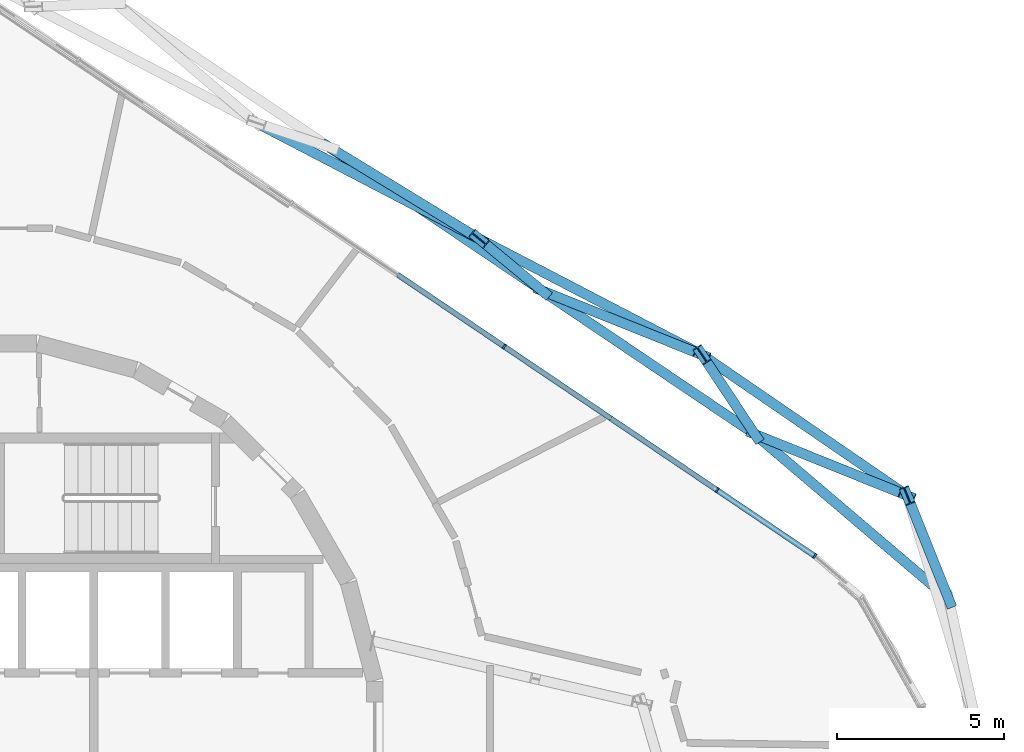
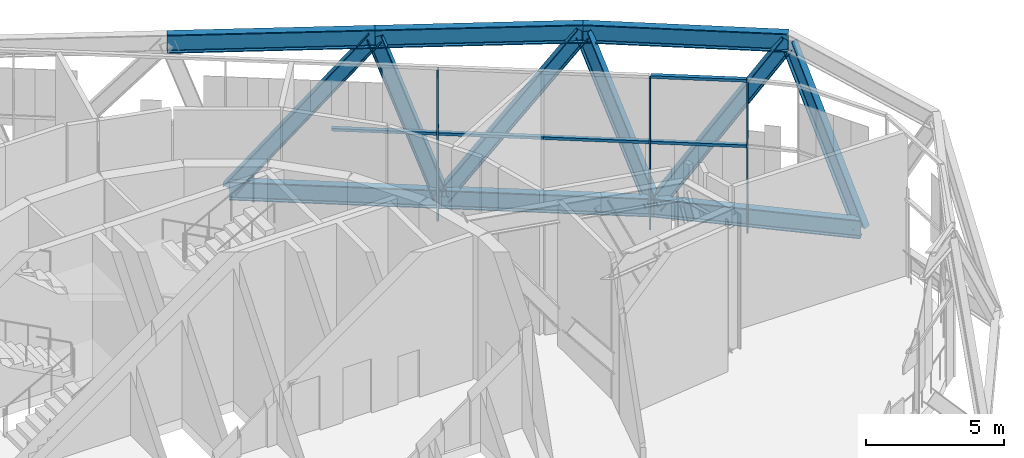
# One storey, part 8 of 24: 20 members, 2 elements without a shape of their own.
"""IFC4 building model written with IfcOpenShell, lengths in metres."""

from ifc_helpers import new_model, si_unit, direction, frame, origin, origin_2d, place, context, subcontext, project, spatial, rectangle, i_section, extrude, material, layer, layer_set, material_profile, profile_set, type_object, element, aggregate, save


model = new_model("IFC4")

# Units and contexts
model_context = context("Model", 3, precision=1e-05, world=origin(), true_north=direction((0.0, 1.0)))
body_context = subcontext(model_context, "Body", "Model", "MODEL_VIEW")
ifc_project = project(units=[si_unit("LENGTHUNIT", "METRE"), si_unit("AREAUNIT", "SQUARE_METRE"), si_unit("VOLUMEUNIT", "CUBIC_METRE"), si_unit("PLANEANGLEUNIT", "RADIAN"), si_unit("MASSUNIT", "GRAM", prefix="KILO")], contexts=[model_context])

# Site, building, storey
site_placement = place(None, origin())
site = spatial("IfcSite", under=ifc_project, at=site_placement, CompositionType="ELEMENT")
building_placement = place(site_placement, origin())
building = spatial("IfcBuilding", under=site, at=building_placement, Name="Spindle Arch Residences", CompositionType="ELEMENT")
storey_placement = place(building_placement, frame((0.0, 0.0, 219.89990234375)))
storey = spatial("IfcBuildingStorey", under=building, at=storey_placement, Name="L56", CompositionType="ELEMENT", Elevation=219.89990234375)

# Members
ifc_material_1 = material(Name="Steel S460ML, intumescent coating R 240", Category="steel")
ifc_material_profile_1 = material_profile(ifc_material_1, i_section(OverallWidth=0.302978515625, OverallDepth=0.81396484375, WebThickness=0.02099609375, FlangeThickness=0.0400390625, FilletRadius=0.030029296875, at=origin_2d()), Name="HEM 800")
ifc_profile_set_1 = profile_set([ifc_material_profile_1], Name="Steel S460ML, intumescent coating R 240")
member_type_1 = type_object("IfcMemberType", Name="Belt truss chord HEM 800", PredefinedType="CHORD", material=ifc_profile_set_1)
member_1_placement = place(storey_placement, frame((28.84228515625, 3.9873046875, -0.85693359375), z_axis=(-0.761793911054, 0.647819447903, 0.0), x_axis=(-0.647819447903, -0.761793911054, 0.0)))
element("IfcMember", 1, at=member_1_placement, inside=storey, type_object=member_type_1, Name="Belt truss bottom chord L56.5", PredefinedType="CHORD", context=body_context, shape_type="SweptSolid", body=[
    extrude(i_section(OverallWidth=0.302978515625, OverallDepth=0.81396484375, WebThickness=0.02099609375, FlangeThickness=0.0400390625, FilletRadius=0.030029296875, at=origin_2d()), origin(), (0.0, 0.0, 1.0), 7.62353515625),
])
for number, where, z_axis, x_axis, name in (
    (2, (23.03466796875, 8.926025390625, -0.85693359375), (-0.829040654635, 0.559188334072, 0.0), (-0.559188334072, -0.829040654635, 0.0), "Belt truss bottom chord L56.6"),
    (3, (16.65625, 13.228271484375, -0.85693359375), (-0.829040654635, 0.559188334072, 0.0), (-0.559188334072, -0.829040654635, 0.0), "Belt truss bottom chord L56.7"),
):
    element("IfcMember", number, at=place(storey_placement, frame(where, z_axis=z_axis, x_axis=x_axis)), inside=storey, type_object=member_type_1, Name=name, PredefinedType="CHORD", context=body_context, shape_type="SweptSolid", body=[
        extrude(i_section(OverallWidth=0.302978515625, OverallDepth=0.81396484375, WebThickness=0.02099609375, FlangeThickness=0.0400390625, FilletRadius=0.030029296875, at=origin_2d()), origin(), (0.0, 0.0, 1.0), 7.69384765625),
    ])
member_2_placement = place(storey_placement, frame((27.598388671875, 7.089599609375, 5.943115234375), z_axis=(-0.824607095319, 0.565705876184, 0.0), x_axis=(-0.565705876184, -0.824607095319, 0.0)))
element("IfcMember", 4, at=member_2_placement, inside=storey, type_object=member_type_1, Name="Belt truss top chord L56.5", PredefinedType="CHORD", context=body_context, shape_type="SweptSolid", body=[
    extrude(i_section(OverallWidth=0.302978515625, OverallDepth=0.81396484375, WebThickness=0.02099609375, FlangeThickness=0.0400390625, FilletRadius=0.030029296875, at=origin_2d()), origin(), (0.0, 0.0, 1.0), 7.456298828125),
])
member_3_placement = place(storey_placement, frame((21.449951171875, 11.3076171875, 5.943115234375), z_axis=(-0.887019775052, 0.46173143565, 0.0), x_axis=(-0.46173143565, -0.887019775052, 0.0)))
element("IfcMember", 5, at=member_3_placement, inside=storey, type_object=member_type_1, Name="Belt truss top chord L56.6", PredefinedType="CHORD", context=body_context, shape_type="SweptSolid", body=[
    extrude(i_section(OverallWidth=0.302978515625, OverallDepth=0.81396484375, WebThickness=0.02099609375, FlangeThickness=0.0400390625, FilletRadius=0.030029296875, at=origin_2d()), origin(), (0.0, 0.0, 1.0), 7.530029296875),
])
member_4_placement = place(storey_placement, frame((14.770751953125, 14.784423828125, 5.943115234375), z_axis=(-0.887013408436, 0.461743666177, 0.0), x_axis=(-0.461743666177, -0.887013408436, 0.0)))
element("IfcMember", 6, at=member_4_placement, inside=storey, type_object=member_type_1, Name="Belt truss top chord L56.7", PredefinedType="CHORD", context=body_context, shape_type="SweptSolid", body=[
    extrude(i_section(OverallWidth=0.302978515625, OverallDepth=0.81396484375, WebThickness=0.02099609375, FlangeThickness=0.0400390625, FilletRadius=0.030029296875, at=origin_2d()), origin(), (0.0, 0.0, 1.0), 7.5302734375),
])
ifc_material_2 = material(Name="Steel S460ML, intumescent coating R 240", Category="steel")
ifc_material_profile_2 = material_profile(ifc_material_2, i_section(OverallWidth=0.300048828125, OverallDepth=0.60009765625, WebThickness=0.015380859375, FlangeThickness=0.030029296875, FilletRadius=0.027099609375, at=origin_2d()), Name="HEB 600")
ifc_profile_set_2 = profile_set([ifc_material_profile_2], Name="Steel S460ML, intumescent coating R 240")
member_type_2 = type_object("IfcMemberType", Name="Belt truss diagonal HEB 600", PredefinedType="BRACE", material=ifc_profile_set_2)
member_5_placement = place(storey_placement, frame((28.84228515625, 3.9873046875, -0.85693359375), z_axis=(-0.164165629159, 0.409431334587, 0.897449513043), x_axis=(-0.92816908486, -0.372158769762, 0.0)))
element("IfcMember", 7, at=member_5_placement, inside=storey, type_object=member_type_2, Name="Belt truss diagonal L56.5.5", PredefinedType="BRACE", context=body_context, shape_type="SweptSolid", body=[
    extrude(i_section(OverallWidth=0.300048828125, OverallDepth=0.60009765625, WebThickness=0.015380859375, FlangeThickness=0.030029296875, FilletRadius=0.027099609375, at=origin_2d()), origin(), (0.0, 0.0, 1.0), 7.5771484375),
])
member_6_placement = place(storey_placement, frame((23.03466796875, 8.926025390625, -0.85693359375), z_axis=(0.54376007623, -0.218807216252, 0.810215021839), x_axis=(0.373306577043, 0.927708035718, 0.0)))
element("IfcMember", 8, at=member_6_placement, inside=storey, type_object=member_type_2, Name="Belt truss diagonal L56.5.6", PredefinedType="BRACE", context=body_context, shape_type="SweptSolid", body=[
    extrude(i_section(OverallWidth=0.300048828125, OverallDepth=0.60009765625, WebThickness=0.015380859375, FlangeThickness=0.030029296875, FilletRadius=0.027099609375, at=origin_2d()), origin(), (0.0, 0.0, 1.0), 8.392822265625),
])
member_7_placement = place(storey_placement, frame((23.03466796875, 8.926025390625, -0.85693359375), z_axis=(-0.214811015589, 0.322828756288, 0.921758006038), x_axis=(-0.832535782497, -0.553971272597, 0.0)))
element("IfcMember", 9, at=member_7_placement, inside=storey, type_object=member_type_2, Name="Belt truss diagonal L56.6.6", PredefinedType="BRACE", context=body_context, shape_type="SweptSolid", body=[
    extrude(i_section(OverallWidth=0.300048828125, OverallDepth=0.60009765625, WebThickness=0.015380859375, FlangeThickness=0.030029296875, FilletRadius=0.027099609375, at=origin_2d()), origin(), (0.0, 0.0, 1.0), 7.377197265625),
])
member_8_placement = place(storey_placement, frame((16.65625, 13.228271484375, -0.85693359375), z_axis=(0.561409744222, -0.224935597545, 0.796381237882), x_axis=(0.371920433331, 0.928264612743, 0.0)))
element("IfcMember", 10, at=member_8_placement, inside=storey, type_object=member_type_2, Name="Belt truss diagonal L56.6.7", PredefinedType="BRACE", context=body_context, shape_type="SweptSolid", body=[
    extrude(i_section(OverallWidth=0.300048828125, OverallDepth=0.60009765625, WebThickness=0.015380859375, FlangeThickness=0.030029296875, FilletRadius=0.027099609375, at=origin_2d()), origin(), (0.0, 0.0, 1.0), 8.53857421875),
])
member_9_placement = place(storey_placement, frame((16.65625, 13.228271484375, -0.85693359375), z_axis=(-0.260926723254, 0.215349855499, 0.941032244309), x_axis=(-0.636532980118, -0.771249483126, 0.0)))
element("IfcMember", 11, at=member_9_placement, inside=storey, type_object=member_type_2, Name="Belt truss diagonal L56.7.7", PredefinedType="BRACE", context=body_context, shape_type="SweptSolid", body=[
    extrude(i_section(OverallWidth=0.300048828125, OverallDepth=0.60009765625, WebThickness=0.015380859375, FlangeThickness=0.030029296875, FilletRadius=0.027099609375, at=origin_2d()), origin(), (0.0, 0.0, 1.0), 7.22607421875),
])
member_10_placement = place(storey_placement, frame((10.27783203125, 17.530517578125, -0.85693359375), z_axis=(0.522404210409, -0.31929590603, 0.790660461475), x_axis=(0.521508146229, 0.853246302903, 0.0)))
element("IfcMember", 12, at=member_10_placement, inside=storey, type_object=member_type_2, Name="Belt truss diagonal L56.7.8", PredefinedType="BRACE", context=body_context, shape_type="SweptSolid", body=[
    extrude(i_section(OverallWidth=0.300048828125, OverallDepth=0.60009765625, WebThickness=0.015380859375, FlangeThickness=0.030029296875, FilletRadius=0.027099609375, at=origin_2d()), origin(), (0.0, 0.0, 1.0), 8.6005859375),
])

# Curtain wall, member
ifc_material_3 = material(Name="Aluminium bronze unitised frame with tinted glass", Category="aluminium")
ifc_layer = layer(ifc_material_3, 0.159912109375)
ifc_layer_set = layer_set([ifc_layer], Name="CW-E double-height winter garden wall")
curtain_wall_type = type_object("IfcCurtainWallType", Name="CW-E double-height winter garden wall", PredefinedType="NOTDEFINED", material=ifc_layer_set)
curtain_wall_1_placement = place(storey_placement, origin())
curtain_wall_1 = element("IfcCurtainWall", 13, at=curtain_wall_1_placement, inside=storey, type_object=curtain_wall_type, Name="CW-E L56 run 1", PredefinedType="NOTDEFINED")
ifc_material_4 = material(Name="Aluminium bronze anodised mullion", Category="aluminium")
ifc_material_profile_3 = material_profile(ifc_material_4, rectangle(XDim=0.159912109375, YDim=0.06005859375, at=origin_2d()), Name="MU 60x160")
ifc_profile_set_3 = profile_set([ifc_material_profile_3], Name="Aluminium bronze anodised mullion")
member_type_3 = type_object("IfcMemberType", Name="Bronze mullion 60x160", PredefinedType="MULLION", material=ifc_profile_set_3)
member_11_placement = place(storey_placement, frame((24.830078125, 5.2783203125, -0.449951171875), z_axis=(0.0, 0.0, 1.0), x_axis=(-0.559192903471, -0.829037572555, 0.0)))
member_11 = element("IfcMember", 14, at=member_11_placement, type_object=member_type_3, Name="CW-E mullion 06", PredefinedType="MULLION", context=body_context, shape_type="SweptSolid", body=[
    extrude(rectangle(XDim=0.159912109375, YDim=0.06005859375, at=origin_2d()), origin(), (0.0, 0.0, 1.0), 6.679931640625),
])

# Curtain wall, members
curtain_wall_2_placement = place(storey_placement, origin())
curtain_wall_2 = element("IfcCurtainWall", 15, at=curtain_wall_2_placement, inside=storey, type_object=curtain_wall_type, Name="CW-E L56 run 2", PredefinedType="NOTDEFINED")
member_12_placement = place(storey_placement, frame((21.905029296875, 7.25146484375, -0.449951171875), z_axis=(0.0, 0.0, 1.0), x_axis=(-0.559192903471, -0.829037572555, 0.0)))
member_12 = element("IfcMember", 16, at=member_12_placement, type_object=member_type_3, Name="CW-E mullion 05", PredefinedType="MULLION", context=body_context, shape_type="SweptSolid", body=[
    extrude(rectangle(XDim=0.159912109375, YDim=0.06005859375, at=origin_2d()), origin(), (0.0, 0.0, 1.0), 6.679931640625),
])
member_13_placement = place(storey_placement, frame((15.526611328125, 11.5537109375, -0.449951171875), z_axis=(0.0, 0.0, 1.0), x_axis=(-0.559192903471, -0.829037572555, 0.0)))
member_13 = element("IfcMember", 17, at=member_13_placement, type_object=member_type_3, Name="CW-E mullion 06", PredefinedType="MULLION", context=body_context, shape_type="SweptSolid", body=[
    extrude(rectangle(XDim=0.159912109375, YDim=0.06005859375, at=origin_2d()), origin(), (0.0, 0.0, 1.0), 6.679931640625),
])

# Member
ifc_material_5 = material(Name="Aluminium bronze anodised transom", Category="aluminium")
ifc_material_profile_4 = material_profile(ifc_material_5, rectangle(XDim=0.159912109375, YDim=0.1201171875, at=origin_2d()), Name="TR 120x160")
ifc_profile_set_4 = profile_set([ifc_material_profile_4], Name="Aluminium bronze anodised transom")
member_type_4 = type_object("IfcMemberType", Name="Bronze transom 120x160", PredefinedType="USERDEFINED", material=ifc_profile_set_4)
member_14_placement = place(storey_placement, frame((24.805419921875, 5.295166015625, 6.2900390625), z_axis=(-0.829049362711, 0.559175423448, 0.0), x_axis=(-0.559175423448, -0.829049362711, 0.0)))
member_14 = element("IfcMember", 18, at=member_14_placement, type_object=member_type_4, Name="CW-E transom 06", ObjectType="TRANSOM", PredefinedType="USERDEFINED", context=body_context, shape_type="SweptSolid", body=[
    extrude(rectangle(XDim=0.159912109375, YDim=0.1201171875, at=origin_2d()), origin(), (0.0, 0.0, 1.0), 3.468505859375),
])

member_15_placement = place(storey_placement, frame((24.805419921875, 5.295166015625, 3.400146484375), z_axis=(-0.829049362711, 0.559175423448, 0.0), x_axis=(-0.559175423448, -0.829049362711, 0.0)))
member_15 = element("IfcMember", 19, at=member_15_placement, type_object=member_type_4, Name="CW-E transom 06m", ObjectType="TRANSOM", PredefinedType="USERDEFINED", context=body_context, shape_type="SweptSolid", body=[
    extrude(rectangle(XDim=0.159912109375, YDim=0.1201171875, at=origin_2d()), origin(), (0.0, 0.0, 1.0), 3.468505859375),
])

aggregate(curtain_wall_1, [member_11, member_14, member_15])

member_16_placement = place(storey_placement, frame((21.880126953125, 7.26806640625, 3.400146484375), z_axis=(-0.829016960173, 0.559223461368, 0.0), x_axis=(-0.559223461368, -0.829016960173, 0.0)))
member_16 = element("IfcMember", 20, at=member_16_placement, type_object=member_type_4, Name="CW-E transom 05Am", ObjectType="TRANSOM", PredefinedType="USERDEFINED", context=body_context, shape_type="SweptSolid", body=[
    extrude(rectangle(XDim=0.159912109375, YDim=0.1201171875, at=origin_2d()), origin(), (0.0, 0.0, 1.0), 3.81689453125),
])

member_17_placement = place(storey_placement, frame((18.7158203125, 9.402587890625, 3.400146484375), z_axis=(-0.829046613414, 0.559179499612, 0.0), x_axis=(-0.559179499612, -0.829046613414, 0.0)))
member_17 = element("IfcMember", 21, at=member_17_placement, type_object=member_type_4, Name="CW-E transom 05Bm", ObjectType="TRANSOM", PredefinedType="USERDEFINED", context=body_context, shape_type="SweptSolid", body=[
    extrude(rectangle(XDim=0.159912109375, YDim=0.1201171875, at=origin_2d()), origin(), (0.0, 0.0, 1.0), 3.81689453125),
])

member_18_placement = place(storey_placement, frame((15.501708984375, 11.5703125, 3.400146484375), z_axis=(-0.829016960173, 0.559223461368, 0.0), x_axis=(-0.559223461368, -0.829016960173, 0.0)))
member_18 = element("IfcMember", 22, at=member_18_placement, type_object=member_type_4, Name="CW-E transom 06Am", ObjectType="TRANSOM", PredefinedType="USERDEFINED", context=body_context, shape_type="SweptSolid", body=[
    extrude(rectangle(XDim=0.159912109375, YDim=0.1201171875, at=origin_2d()), origin(), (0.0, 0.0, 1.0), 3.81689453125),
])

aggregate(curtain_wall_2, [member_12, member_16, member_17, member_13, member_18])

save(model, "model.ifc")
